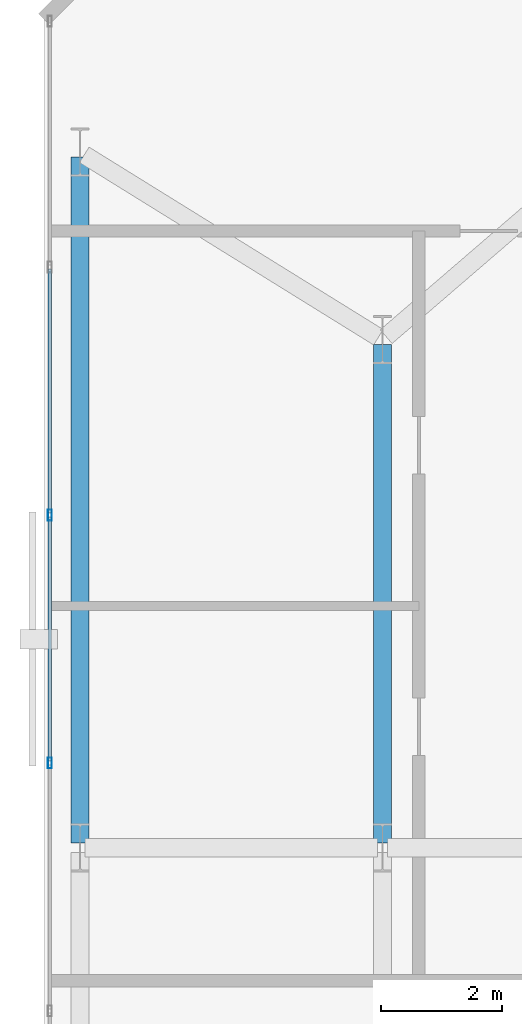
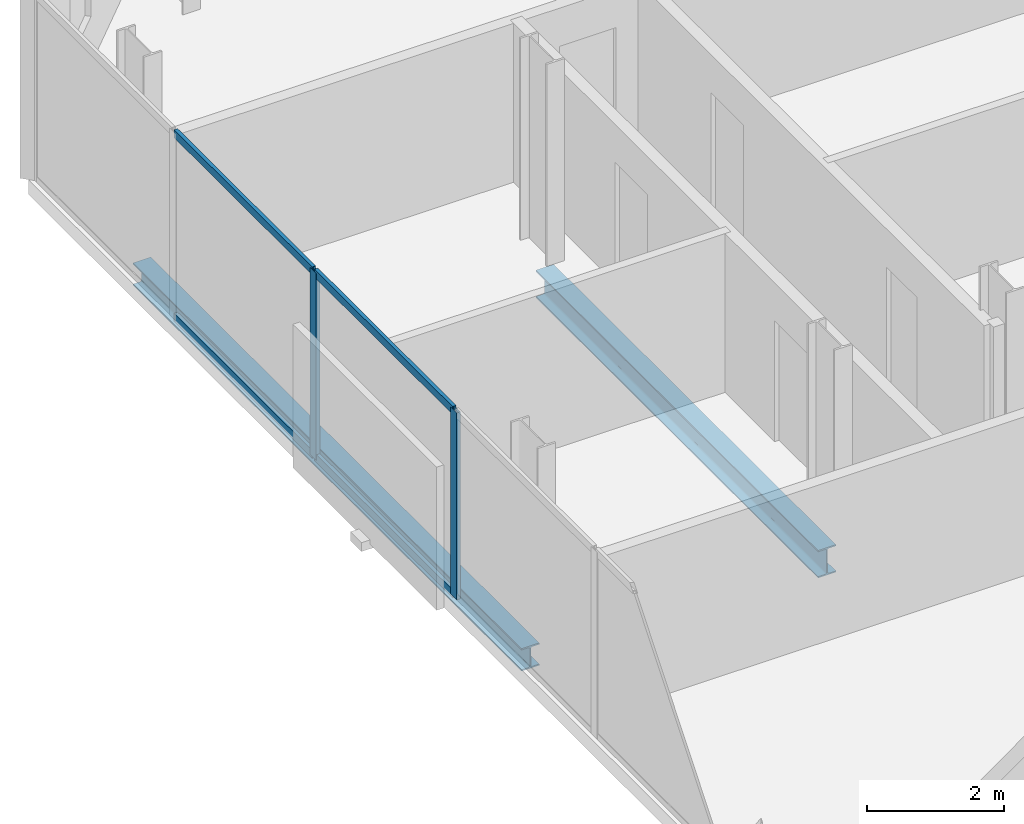
# One storey, part 18 of 33: 6 members, 2 beams, 1 element without a shape of its own.
"""IFC4 building model written with IfcOpenShell, lengths in metres."""

from ifc_helpers import new_model, si_unit, direction, frame, origin, origin_2d, place, context, subcontext, project, spatial, hollow_rectangle, i_section, extrude, material, layer, layer_set, material_profile, profile_set, type_object, element, aggregate, save


model = new_model("IFC4")

# Units and contexts
model_context = context("Model", 3, precision=1e-05, world=origin(), true_north=direction((0.0, 1.0)))
body_context = subcontext(model_context, "Body", "Model", "MODEL_VIEW")
ifc_project = project(units=[si_unit("LENGTHUNIT", "METRE"), si_unit("AREAUNIT", "SQUARE_METRE"), si_unit("VOLUMEUNIT", "CUBIC_METRE"), si_unit("PLANEANGLEUNIT", "RADIAN"), si_unit("MASSUNIT", "GRAM", prefix="KILO")], contexts=[model_context])

# Site, building, storey
site_placement = place(None, origin())
site = spatial("IfcSite", under=ifc_project, at=site_placement, CompositionType="ELEMENT")
building_placement = place(site_placement, origin())
building = spatial("IfcBuilding", under=site, at=building_placement, Name="Catumbela Crestline Tower", CompositionType="ELEMENT")
storey_placement = place(building_placement, frame((0.0, 0.0, 72.6)))
storey = spatial("IfcBuildingStorey", under=building, at=storey_placement, Name="L18", CompositionType="ELEMENT", Elevation=72.6)

# Beam
ifc_material_1 = material(Name="Structural steel S355J2", Category="steel")
ifc_material_profile_1 = material_profile(ifc_material_1, i_section(OverallWidth=0.3, OverallDepth=0.49, WebThickness=0.012, FlangeThickness=0.023, FilletRadius=0.027, at=origin_2d()), Name="HEA 500")
ifc_profile_set_1 = profile_set([ifc_material_profile_1], Name="Structural steel S355J2")
beam_type_1 = type_object("IfcBeamType", Name="BG-HEA500", PredefinedType="BEAM", material=ifc_profile_set_1)
beam_1_placement = place(storey_placement, frame((5.6, 30.88, -0.505), z_axis=(0.0, 1.0, 0.0), x_axis=(-1.0, 0.0, 0.0)))
element("IfcBeam", 1, at=beam_1_placement, inside=storey, type_object=beam_type_1, Name="L18 Beam BM-L18-SN28", PredefinedType="BEAM", context=body_context, shape_type="SweptSolid", body=[
    extrude(i_section(OverallWidth=0.3, OverallDepth=0.49, WebThickness=0.012, FlangeThickness=0.023, FilletRadius=0.027, at=origin_2d()), origin(), (0.0, 0.0, 1.0), 8.24),
])

# Curtain wall, members
ifc_material_2 = material(Name="Aluminium alloy AW-6060-T66", Category="aluminium")
ifc_layer = layer(ifc_material_2, 0.18, Name="Aluminium alloy AW-6060-T66")
ifc_layer_set = layer_set([ifc_layer], Name="Aluminium alloy AW-6060-T66")
curtain_wall_type = type_object("IfcCurtainWallType", Name="CWU-Z1", PredefinedType="USERDEFINED", material=ifc_layer_set)
curtain_wall_placement = place(storey_placement, origin())
curtain_wall = element("IfcCurtainWall", 2, at=curtain_wall_placement, inside=storey, type_object=curtain_wall_type, Name="L18 Unitised Curtain Wall CW-L18-E9S1", ObjectType="UNITISED", PredefinedType="USERDEFINED")
ifc_material_profile_2 = material_profile(ifc_material_2, hollow_rectangle(XDim=0.065, YDim=0.18, WallThickness=0.004, at=origin_2d()), Name="ALU 180x65x4")
ifc_profile_set_2 = profile_set([ifc_material_profile_2], Name="Aluminium alloy AW-6060-T66")
member_type_1 = type_object("IfcMemberType", Name="MUL-180X65", PredefinedType="MULLION", material=ifc_profile_set_2)
member_1_placement = place(storey_placement, frame((0.1, 36.3, 0.0), z_axis=(0.0, 0.0, 1.0), x_axis=(1.0, 0.0, 0.0)))
member_1 = element("IfcMember", 3, at=member_1_placement, type_object=member_type_1, Name="CWU-Z1 mullion 3", PredefinedType="MULLION", context=body_context, shape_type="SweptSolid", body=[
    extrude(hollow_rectangle(XDim=0.065, YDim=0.18, WallThickness=0.004, at=origin_2d()), origin(), (0.0, 0.0, 1.0), 3.33),
])
member_2_placement = place(storey_placement, frame((0.1, 32.2, 0.0), z_axis=(0.0, 0.0, 1.0), x_axis=(1.0, 0.0, 0.0)))
member_2 = element("IfcMember", 4, at=member_2_placement, type_object=member_type_1, Name="CWU-Z1 mullion 4", PredefinedType="MULLION", context=body_context, shape_type="SweptSolid", body=[
    extrude(hollow_rectangle(XDim=0.065, YDim=0.18, WallThickness=0.004, at=origin_2d()), origin(), (0.0, 0.0, 1.0), 3.33),
])

# Beam
ifc_material_profile_3 = material_profile(ifc_material_1, i_section(OverallWidth=0.3, OverallDepth=0.4, WebThickness=0.0135, FlangeThickness=0.024, FilletRadius=0.027, at=origin_2d()), Name="HEB 400")
ifc_profile_set_3 = profile_set([ifc_material_profile_3], Name="Structural steel S355J2")
beam_type_2 = type_object("IfcBeamType", Name="BS-HEB400", PredefinedType="SPANDREL", material=ifc_profile_set_3)
beam_2_placement = place(storey_placement, frame((0.6, 30.88, -0.46), z_axis=(0.0, 1.0, 0.0), x_axis=(-1.0, 0.0, 0.0)))
element("IfcBeam", 5, at=beam_2_placement, inside=storey, type_object=beam_type_2, Name="L18 Spandrel SP-L18-SN26", PredefinedType="SPANDREL", context=body_context, shape_type="SweptSolid", body=[
    extrude(i_section(OverallWidth=0.3, OverallDepth=0.4, WebThickness=0.0135, FlangeThickness=0.024, FilletRadius=0.027, at=origin_2d()), origin(), (0.0, 0.0, 1.0), 11.34),
])

# Member
ifc_material_profile_4 = material_profile(ifc_material_2, hollow_rectangle(XDim=0.06, YDim=0.14, WallThickness=0.004, at=origin_2d()), Name="ALU 140x60x4")
ifc_profile_set_4 = profile_set([ifc_material_profile_4], Name="Aluminium alloy AW-6060-T66")
member_type_2 = type_object("IfcMemberType", Name="TRN-140X60", PredefinedType="USERDEFINED", material=ifc_profile_set_4)
member_3_placement = place(storey_placement, frame((0.1, 40.3675, 0.03), z_axis=(0.0, -1.0, 0.0), x_axis=(1.0, 0.0, 0.0)))
member_3 = element("IfcMember", 6, at=member_3_placement, type_object=member_type_2, Name="CWU-Z1 transom 2.1", ObjectType="TRANSOM", PredefinedType="USERDEFINED", context=body_context, shape_type="SweptSolid", body=[
    extrude(hollow_rectangle(XDim=0.06, YDim=0.14, WallThickness=0.004, at=origin_2d()), origin(), (0.0, 0.0, 1.0), 4.035),
])

member_4_placement = place(storey_placement, frame((0.1, 40.3675, 3.3), z_axis=(0.0, -1.0, 0.0), x_axis=(1.0, 0.0, 0.0)))
member_4 = element("IfcMember", 7, at=member_4_placement, type_object=member_type_2, Name="CWU-Z1 transom 2.2", ObjectType="TRANSOM", PredefinedType="USERDEFINED", context=body_context, shape_type="SweptSolid", body=[
    extrude(hollow_rectangle(XDim=0.06, YDim=0.14, WallThickness=0.004, at=origin_2d()), origin(), (0.0, 0.0, 1.0), 4.035),
])

member_5_placement = place(storey_placement, frame((0.1, 36.2675, 0.03), z_axis=(0.0, -1.0, 0.0), x_axis=(1.0, 0.0, 0.0)))
member_5 = element("IfcMember", 8, at=member_5_placement, type_object=member_type_2, Name="CWU-Z1 transom 3.1", ObjectType="TRANSOM", PredefinedType="USERDEFINED", context=body_context, shape_type="SweptSolid", body=[
    extrude(hollow_rectangle(XDim=0.06, YDim=0.14, WallThickness=0.004, at=origin_2d()), origin(), (0.0, 0.0, 1.0), 4.035),
])

member_6_placement = place(storey_placement, frame((0.1, 36.2675, 3.3), z_axis=(0.0, -1.0, 0.0), x_axis=(1.0, 0.0, 0.0)))
member_6 = element("IfcMember", 9, at=member_6_placement, type_object=member_type_2, Name="CWU-Z1 transom 3.2", ObjectType="TRANSOM", PredefinedType="USERDEFINED", context=body_context, shape_type="SweptSolid", body=[
    extrude(hollow_rectangle(XDim=0.06, YDim=0.14, WallThickness=0.004, at=origin_2d()), origin(), (0.0, 0.0, 1.0), 4.035),
])

aggregate(curtain_wall, [member_1, member_2, member_3, member_4, member_5, member_6])

save(model, "model.ifc")
